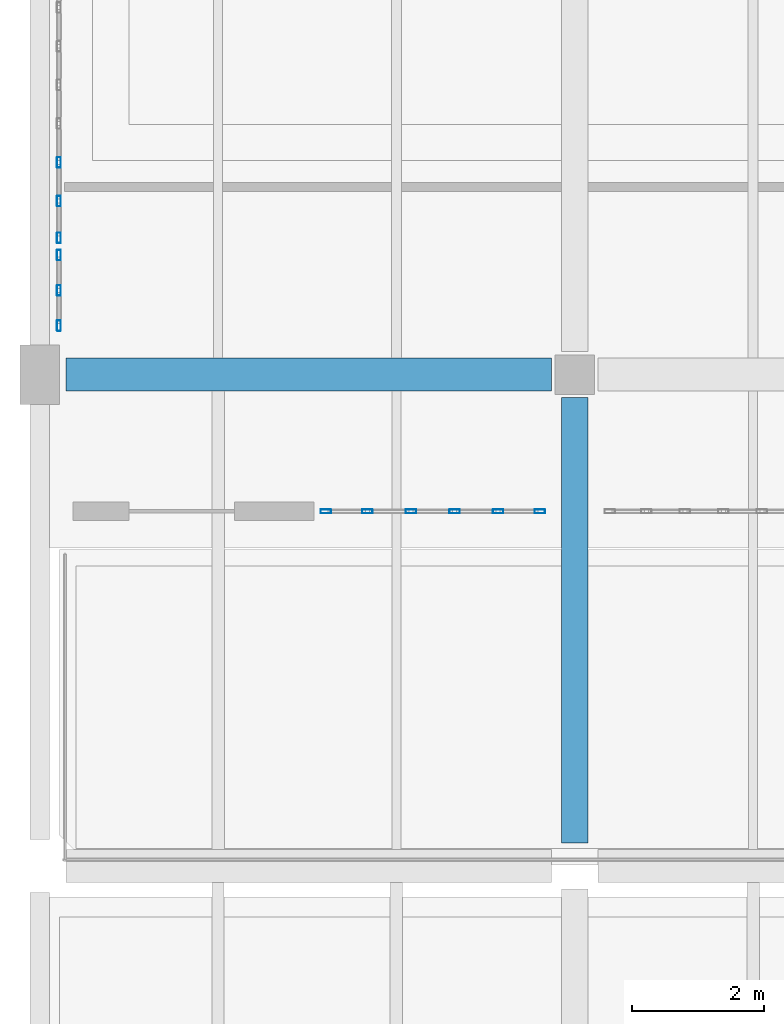
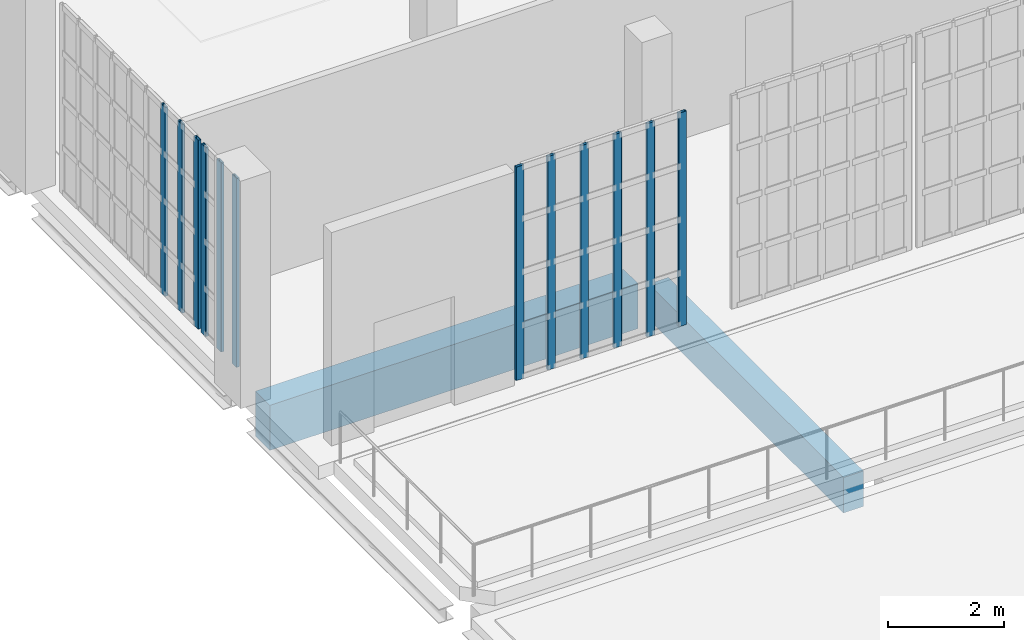
# One storey, part 13 of 104: 12 members, 2 beams, 3 elements without a shape of their own.
"""IFC4 building model written with IfcOpenShell, lengths in metres."""

from ifc_helpers import new_model, si_unit, direction, frame, origin, origin_2d, place, context, subcontext, project, spatial, rectangle, hollow_rectangle, extrude, material, material_profile, profile_set, type_object, element, aggregate, save


model = new_model("IFC4")

# Units and contexts
model_context = context("Model", 3, precision=1e-05, world=origin(), true_north=direction((0.0, 1.0)))
body_context = subcontext(model_context, "Body", "Model", "MODEL_VIEW")
ifc_project = project(units=[si_unit("LENGTHUNIT", "METRE"), si_unit("AREAUNIT", "SQUARE_METRE"), si_unit("VOLUMEUNIT", "CUBIC_METRE"), si_unit("PLANEANGLEUNIT", "RADIAN"), si_unit("MASSUNIT", "GRAM", prefix="KILO")], contexts=[model_context])

# Site, building, storey
site_placement = place(None, origin())
site = spatial("IfcSite", under=ifc_project, at=site_placement, CompositionType="ELEMENT")
building_placement = place(site_placement, origin())
building = spatial("IfcBuilding", under=site, at=building_placement, Name="Kaelora Sail Theatre", CompositionType="ELEMENT")
storey_placement = place(building_placement, frame((0.0, 0.0, 5.39990234375)))
storey = spatial("IfcBuildingStorey", under=building, at=storey_placement, Name="L01", CompositionType="ELEMENT", Elevation=5.39990234375)

# Curtain wall, members
ifc_material_1 = material(Name="Anodised aluminium and solar-control low-E IGU", Category="aluminium")
curtain_wall_type_1 = type_object("IfcCurtainWallType", Name="ARC-CW-CW-FOY2", PredefinedType="NOTDEFINED", material=ifc_material_1)
curtain_wall_1_placement = place(storey_placement, origin())
curtain_wall_1 = element("IfcCurtainWall", 1, at=curtain_wall_1_placement, inside=storey, type_object=curtain_wall_type_1, Name="Glazed Foyer/Conservatory Curtain Wall FW1-S-L01-01", PredefinedType="NOTDEFINED")
ifc_material_2 = material(Name="Anodised aluminium 6063-T6", Category="aluminium")
ifc_material_profile_1 = material_profile(ifc_material_2, hollow_rectangle(XDim=0.06005859375, YDim=0.159912109375, WallThickness=0.00390625, InnerFilletRadius=0.00390625, OuterFilletRadius=0.008056640625, at=origin_2d()), Name="ALU-MULL 60x160x4")
ifc_profile_set_1 = profile_set([ifc_material_profile_1], Name="Anodised aluminium 6063-T6")
member_type = type_object("IfcMemberType", Name="ARC-MEM-ML-160", PredefinedType="MULLION", material=ifc_profile_set_1)
member_1_placement = place(storey_placement, frame((5.830078125, 66.389892578125, 0.0), z_axis=(0.0, 0.0, 1.0), x_axis=(0.0, 1.0, 0.0)))
member_1 = element("IfcMember", 2, at=member_1_placement, type_object=member_type, Name="CW-FOY2 mullion 1", PredefinedType="MULLION", context=body_context, shape_type="SweptSolid", body=[
    extrude(hollow_rectangle(XDim=0.06005859375, YDim=0.159912109375, WallThickness=0.00390625, InnerFilletRadius=0.00390625, OuterFilletRadius=0.008056640625, at=origin_2d()), origin(), (0.0, 0.0, 1.0), 4.505126953125),
])
member_2_placement = place(storey_placement, frame((6.4599609375, 66.389892578125, 0.0), z_axis=(0.0, 0.0, 1.0), x_axis=(0.0, 1.0, 0.0)))
member_2 = element("IfcMember", 3, at=member_2_placement, type_object=member_type, Name="CW-FOY2 mullion 2", PredefinedType="MULLION", context=body_context, shape_type="SweptSolid", body=[
    extrude(hollow_rectangle(XDim=0.06005859375, YDim=0.159912109375, WallThickness=0.00390625, InnerFilletRadius=0.00390625, OuterFilletRadius=0.008056640625, at=origin_2d()), origin(), (0.0, 0.0, 1.0), 4.505126953125),
])
member_3_placement = place(storey_placement, frame((7.1201171875, 66.389892578125, 0.0), z_axis=(0.0, 0.0, 1.0), x_axis=(0.0, 1.0, 0.0)))
member_3 = element("IfcMember", 4, at=member_3_placement, type_object=member_type, Name="CW-FOY2 mullion 3", PredefinedType="MULLION", context=body_context, shape_type="SweptSolid", body=[
    extrude(hollow_rectangle(XDim=0.06005859375, YDim=0.159912109375, WallThickness=0.00390625, InnerFilletRadius=0.00390625, OuterFilletRadius=0.008056640625, at=origin_2d()), origin(), (0.0, 0.0, 1.0), 4.505126953125),
])
member_4_placement = place(storey_placement, frame((7.780029296875, 66.389892578125, 0.0), z_axis=(0.0, 0.0, 1.0), x_axis=(0.0, 1.0, 0.0)))
member_4 = element("IfcMember", 5, at=member_4_placement, type_object=member_type, Name="CW-FOY2 mullion 4", PredefinedType="MULLION", context=body_context, shape_type="SweptSolid", body=[
    extrude(hollow_rectangle(XDim=0.06005859375, YDim=0.159912109375, WallThickness=0.00390625, InnerFilletRadius=0.00390625, OuterFilletRadius=0.008056640625, at=origin_2d()), origin(), (0.0, 0.0, 1.0), 4.505126953125),
])
member_5_placement = place(storey_placement, frame((8.43994140625, 66.389892578125, 0.0), z_axis=(0.0, 0.0, 1.0), x_axis=(0.0, 1.0, 0.0)))
member_5 = element("IfcMember", 6, at=member_5_placement, type_object=member_type, Name="CW-FOY2 mullion 5", PredefinedType="MULLION", context=body_context, shape_type="SweptSolid", body=[
    extrude(hollow_rectangle(XDim=0.06005859375, YDim=0.159912109375, WallThickness=0.00390625, InnerFilletRadius=0.00390625, OuterFilletRadius=0.008056640625, at=origin_2d()), origin(), (0.0, 0.0, 1.0), 4.505126953125),
])
member_6_placement = place(storey_placement, frame((9.070068359375, 66.389892578125, 0.0), z_axis=(0.0, 0.0, 1.0), x_axis=(0.0, 1.0, 0.0)))
member_6 = element("IfcMember", 7, at=member_6_placement, type_object=member_type, Name="CW-FOY2 mullion 6", PredefinedType="MULLION", context=body_context, shape_type="SweptSolid", body=[
    extrude(hollow_rectangle(XDim=0.06005859375, YDim=0.159912109375, WallThickness=0.00390625, InnerFilletRadius=0.00390625, OuterFilletRadius=0.008056640625, at=origin_2d()), origin(), (0.0, 0.0, 1.0), 4.505126953125),
])
aggregate(curtain_wall_1, [member_1, member_2, member_3, member_4, member_5, member_6])

ifc_material_3 = material(Name="Anodised aluminium and solar-control low-E IGU", Category="aluminium")
curtain_wall_type_2 = type_object("IfcCurtainWallType", Name="ARC-CW-CW-PROW", PredefinedType="NOTDEFINED", material=ifc_material_3)
curtain_wall_2_placement = place(storey_placement, origin())
curtain_wall_2 = element("IfcCurtainWall", 8, at=curtain_wall_2_placement, inside=storey, type_object=curtain_wall_type_2, Name="Glazed Colonnade/Courtyard Curtain Wall FW1-W-L01-01", PredefinedType="NOTDEFINED")
member_7_placement = place(storey_placement, frame((1.7900390625, 69.199951171875, 0.0), z_axis=(0.0, 0.0, 1.0), x_axis=(-1.0, 0.0, 0.0)))
member_7 = element("IfcMember", 9, at=member_7_placement, type_object=member_type, Name="CW-PROW mullion 1", PredefinedType="MULLION", context=body_context, shape_type="SweptSolid", body=[
    extrude(hollow_rectangle(XDim=0.06005859375, YDim=0.159912109375, WallThickness=0.00390625, InnerFilletRadius=0.00390625, OuterFilletRadius=0.008056640625, at=origin_2d()), origin(), (0.0, 0.0, 1.0), 3.987060546875),
])
member_8_placement = place(storey_placement, frame((1.7900390625, 69.735107421875, 0.0), z_axis=(0.0, 0.0, 1.0), x_axis=(-1.0, 0.0, 0.0)))
member_8 = element("IfcMember", 10, at=member_8_placement, type_object=member_type, Name="CW-PROW mullion 2", PredefinedType="MULLION", context=body_context, shape_type="SweptSolid", body=[
    extrude(hollow_rectangle(XDim=0.06005859375, YDim=0.159912109375, WallThickness=0.00390625, InnerFilletRadius=0.00390625, OuterFilletRadius=0.008056640625, at=origin_2d()), origin(), (0.0, 0.0, 1.0), 3.987060546875),
])
member_9_placement = place(storey_placement, frame((1.7900390625, 70.27001953125, 0.0), z_axis=(0.0, 0.0, 1.0), x_axis=(-1.0, 0.0, 0.0)))
member_9 = element("IfcMember", 11, at=member_9_placement, type_object=member_type, Name="CW-PROW mullion 3", PredefinedType="MULLION", context=body_context, shape_type="SweptSolid", body=[
    extrude(hollow_rectangle(XDim=0.06005859375, YDim=0.159912109375, WallThickness=0.00390625, InnerFilletRadius=0.00390625, OuterFilletRadius=0.008056640625, at=origin_2d()), origin(), (0.0, 0.0, 1.0), 3.987060546875),
])
aggregate(curtain_wall_2, [member_7, member_8, member_9])

curtain_wall_3_placement = place(storey_placement, origin())
curtain_wall_3 = element("IfcCurtainWall", 12, at=curtain_wall_3_placement, inside=storey, type_object=curtain_wall_type_2, Name="Glazed Colonnade/Courtyard Curtain Wall FW1-W-L01-02", PredefinedType="NOTDEFINED")
member_10_placement = place(storey_placement, frame((1.7900390625, 70.530029296875, 0.0), z_axis=(0.0, 0.0, 1.0), x_axis=(-1.0, 0.0, 0.0)))
member_10 = element("IfcMember", 13, at=member_10_placement, type_object=member_type, Name="CW-PROW mullion 1", PredefinedType="MULLION", context=body_context, shape_type="SweptSolid", body=[
    extrude(hollow_rectangle(XDim=0.06005859375, YDim=0.159912109375, WallThickness=0.00390625, InnerFilletRadius=0.00390625, OuterFilletRadius=0.008056640625, at=origin_2d()), origin(), (0.0, 0.0, 1.0), 3.987060546875),
])
member_11_placement = place(storey_placement, frame((1.7900390625, 71.086181640625, 0.0), z_axis=(0.0, 0.0, 1.0), x_axis=(-1.0, 0.0, 0.0)))
member_11 = element("IfcMember", 14, at=member_11_placement, type_object=member_type, Name="CW-PROW mullion 2", PredefinedType="MULLION", context=body_context, shape_type="SweptSolid", body=[
    extrude(hollow_rectangle(XDim=0.06005859375, YDim=0.159912109375, WallThickness=0.00390625, InnerFilletRadius=0.00390625, OuterFilletRadius=0.008056640625, at=origin_2d()), origin(), (0.0, 0.0, 1.0), 3.987060546875),
])
member_12_placement = place(storey_placement, frame((1.7900390625, 71.672607421875, 0.0), z_axis=(0.0, 0.0, 1.0), x_axis=(-1.0, 0.0, 0.0)))
member_12 = element("IfcMember", 15, at=member_12_placement, type_object=member_type, Name="CW-PROW mullion 3", PredefinedType="MULLION", context=body_context, shape_type="SweptSolid", body=[
    extrude(hollow_rectangle(XDim=0.06005859375, YDim=0.159912109375, WallThickness=0.00390625, InnerFilletRadius=0.00390625, OuterFilletRadius=0.008056640625, at=origin_2d()), origin(), (0.0, 0.0, 1.0), 3.987060546875),
])
aggregate(curtain_wall_3, [member_10, member_11, member_12])

# Beams
ifc_material_4 = material(Name="Concrete C40/50", Category="concrete")
ifc_material_profile_2 = material_profile(ifc_material_4, rectangle(XDim=0.39990234375, YDim=0.75, at=origin_2d()), Name="RC-BM 400x750")
ifc_profile_set_2 = profile_set([ifc_material_profile_2], Name="Concrete C40/50")
beam_type_1 = type_object("IfcBeamType", Name="STR-BM-BM-RC4075", PredefinedType="BEAM", material=ifc_profile_set_2)
beam_1_placement = place(storey_placement, frame((9.60009765625, 61.3701171875, -0.669921875), z_axis=(0.0, 1.0, 0.0), x_axis=(-1.0, 0.0, 0.0)))
element("IfcBeam", 16, at=beam_1_placement, inside=storey, type_object=beam_type_1, Name="Primary beam 2 I-J (L01)", PredefinedType="BEAM", context=body_context, shape_type="SweptSolid", body=[
    extrude(rectangle(XDim=0.39990234375, YDim=0.75, at=origin_2d()), origin(), (0.0, 0.0, 1.0), 6.739990234375),
])
ifc_material_5 = material(Name="Concrete C45/55", Category="concrete")
ifc_material_profile_3 = material_profile(ifc_material_5, rectangle(XDim=0.5, YDim=0.949951171875, at=origin_2d()), Name="RC-GRD 500x950")
ifc_profile_set_3 = profile_set([ifc_material_profile_3], Name="Concrete C45/55")
beam_type_2 = type_object("IfcBeamType", Name="STR-BM-GR-RC5095", PredefinedType="T_BEAM", material=ifc_profile_set_3)
beam_2_placement = place(storey_placement, frame((1.89990234375, 68.4599609375, -0.77001953125), z_axis=(1.0, 0.0, 0.0), x_axis=(0.0, 1.0, 0.0)))
element("IfcBeam", 17, at=beam_2_placement, inside=storey, type_object=beam_type_2, Name="Primary beam J 1-2 (L01)", PredefinedType="T_BEAM", context=body_context, shape_type="SweptSolid", body=[
    extrude(rectangle(XDim=0.5, YDim=0.949951171875, at=origin_2d()), origin(), (0.0, 0.0, 1.0), 7.35009765625),
])

save(model, "model.ifc")
